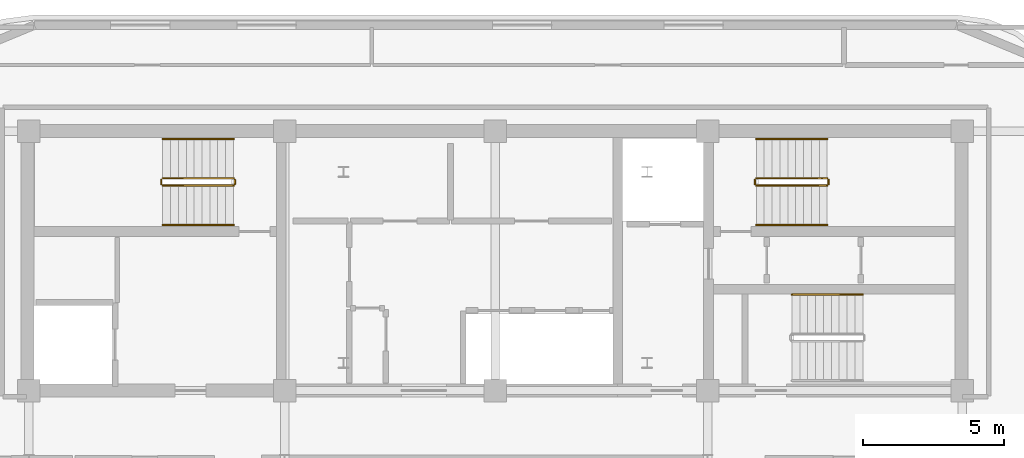
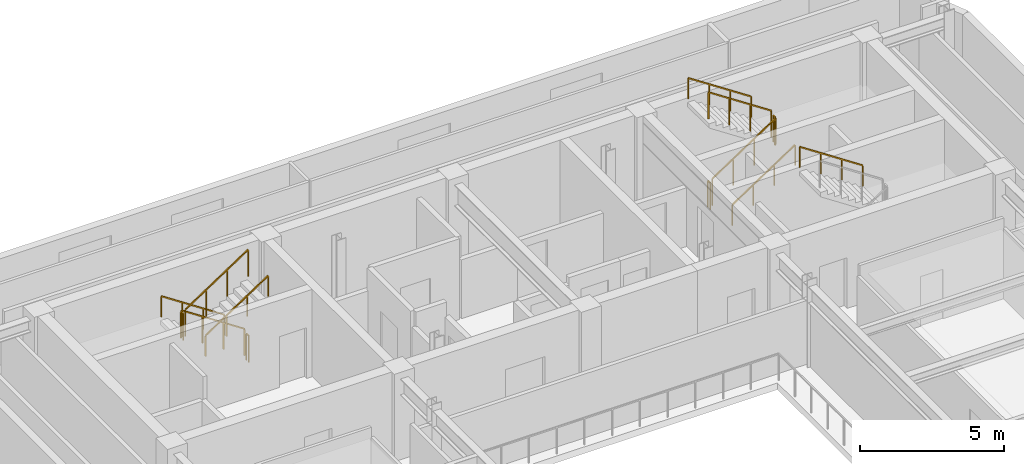
# One storey, part 11 of 11: 13 railings.
"""IFC4 building model written with IfcOpenShell, lengths in metres."""

from ifc_helpers import new_model, si_unit, direction, frame, origin, origin_2d, place, context, subcontext, project, spatial, rectangle, extrude, material, type_object, element, save


model = new_model("IFC4")

# Units and contexts
model_context = context("Model", 3, precision=1e-05, world=origin(), true_north=direction((0.0, 1.0)))
body_context = subcontext(model_context, "Body", "Model", "MODEL_VIEW")
ifc_project = project(units=[si_unit("LENGTHUNIT", "METRE"), si_unit("AREAUNIT", "SQUARE_METRE"), si_unit("VOLUMEUNIT", "CUBIC_METRE"), si_unit("PLANEANGLEUNIT", "RADIAN"), si_unit("MASSUNIT", "GRAM", prefix="KILO")], contexts=[model_context])

# Site, building, storey
site_placement = place(None, origin())
site = spatial("IfcSite", under=ifc_project, at=site_placement, CompositionType="ELEMENT")
building_placement = place(site_placement, origin())
building = spatial("IfcBuilding", under=site, at=building_placement, Name="Zarnavel Station Tower", CompositionType="ELEMENT")
storey_placement = place(building_placement, frame((0.0, 0.0, 262.10009765625)))
storey = spatial("IfcBuildingStorey", under=building, at=storey_placement, Name="L71", CompositionType="ELEMENT", Elevation=262.10009765625)

# Railings
ifc_material_1 = material(Name="Painted Steel S355J2 Balustrade", Category="steel")
railing_type_1 = type_object("IfcRailingType", Name="GR_INT_1150", PredefinedType="GUARDRAIL", material=ifc_material_1)
railing_1_placement = place(storey_placement, frame((19.47998046875, 35.3701171875, 0.184814453125)))
element("IfcRailing", 1, at=railing_1_placement, inside=storey, type_object=railing_type_1, Name="L71 ST1 stair guard 1", PredefinedType="GUARDRAIL", context=body_context, shape_type="SweptSolid", body=[
    extrude(rectangle(XDim=0.048095703125, YDim=0.048095703125, at=origin_2d()), frame((-0.001708984375, 0.0, 1.126953125), z_axis=(-0.834331337432, 0.0, 0.55126329406), x_axis=(0.0, -1.0, 0.0)), (0.0, 0.0, 1.0), 3.016357421875),
    extrude(rectangle(XDim=0.0419921875, YDim=0.0419921875, at=origin_2d()), origin(), (0.0, 0.0, 1.0), 1.101806640625),
    extrude(rectangle(XDim=0.0419921875, YDim=0.0419921875, at=origin_2d()), frame((-0.840087890625, 0.0, 0.554931640625)), (0.0, 0.0, 1.0), 1.101806640625),
    extrude(rectangle(XDim=0.0419921875, YDim=0.0419921875, at=origin_2d()), frame((-1.679931640625, 0.0, 1.110107421875)), (0.0, 0.0, 1.0), 1.101806640625),
    extrude(rectangle(XDim=0.0419921875, YDim=0.0419921875, at=origin_2d()), frame((-2.52001953125, 0.0, 1.6650390625)), (0.0, 0.0, 1.0), 1.101806640625),
])
railing_2_placement = place(storey_placement, frame((16.909912109375, 35.320068359375, 1.849853515625)))
element("IfcRailing", 2, at=railing_2_placement, inside=storey, type_object=railing_type_1, Name="L71 ST1 stair guard 2", PredefinedType="GUARDRAIL", context=body_context, shape_type="SweptSolid", body=[
    extrude(rectangle(XDim=0.048095703125, YDim=0.048095703125, at=origin_2d()), frame((0.0, -0.001953125, 1.1259765625), z_axis=(0.0, -1.0, 0.0), x_axis=(1.0, 0.0, 0.0)), (0.0, 0.0, 1.0), 0.15625),
    extrude(rectangle(XDim=0.0419921875, YDim=0.0419921875, at=origin_2d()), origin(), (0.0, 0.0, 1.0), 1.101806640625),
    extrude(rectangle(XDim=0.0419921875, YDim=0.0419921875, at=origin_2d()), frame((0.0, -0.16015625, 0.0)), (0.0, 0.0, 1.0), 1.101806640625),
])
railing_3_placement = place(storey_placement, frame((16.9599609375, 35.110107421875, 2.034912109375)))
element("IfcRailing", 3, at=railing_3_placement, inside=storey, type_object=railing_type_1, Name="L71 ST1 stair guard 3", PredefinedType="GUARDRAIL", context=body_context, shape_type="SweptSolid", body=[
    extrude(rectangle(XDim=0.048095703125, YDim=0.048095703125, at=origin_2d()), frame((0.001708984375, 0.0, 1.126953125), z_axis=(0.834331337432, 0.0, 0.55126329406), x_axis=(0.0, 1.0, 0.0)), (0.0, 0.0, 1.0), 3.016357421875),
    extrude(rectangle(XDim=0.0419921875, YDim=0.0419921875, at=origin_2d()), origin(), (0.0, 0.0, 1.0), 1.101806640625),
    extrude(rectangle(XDim=0.0419921875, YDim=0.0419921875, at=origin_2d()), frame((0.840087890625, 0.0, 0.554931640625)), (0.0, 0.0, 1.0), 1.101806640625),
    extrude(rectangle(XDim=0.0419921875, YDim=0.0419921875, at=origin_2d()), frame((1.679931640625, 0.0, 1.110107421875)), (0.0, 0.0, 1.0), 1.101806640625),
    extrude(rectangle(XDim=0.0419921875, YDim=0.0419921875, at=origin_2d()), frame((2.52001953125, 0.0, 1.6650390625)), (0.0, 0.0, 1.0), 1.101806640625),
])
railing_4_placement = place(storey_placement, frame((19.530029296875, 35.320068359375, 0.0)))
element("IfcRailing", 4, at=railing_4_placement, inside=storey, type_object=railing_type_1, Name="L71 ST1 stair guard 4", PredefinedType="GUARDRAIL", context=body_context, shape_type="SweptSolid", body=[
    extrude(rectangle(XDim=0.048095703125, YDim=0.048095703125, at=origin_2d()), frame((0.0, -0.001953125, 1.1259765625), z_axis=(0.0, -1.0, 0.0), x_axis=(1.0, 0.0, 0.0)), (0.0, 0.0, 1.0), 0.15625),
    extrude(rectangle(XDim=0.0419921875, YDim=0.0419921875, at=origin_2d()), origin(), (0.0, 0.0, 1.0), 1.101806640625),
    extrude(rectangle(XDim=0.0419921875, YDim=0.0419921875, at=origin_2d()), frame((0.0, -0.16015625, 0.0)), (0.0, 0.0, 1.0), 1.101806640625),
])
railing_5_placement = place(storey_placement, frame((38.080078125, 35.110107421875, 0.184814453125)))
element("IfcRailing", 5, at=railing_5_placement, inside=storey, type_object=railing_type_1, Name="L71 ST2 stair guard 1", PredefinedType="GUARDRAIL", context=body_context, shape_type="SweptSolid", body=[
    extrude(rectangle(XDim=0.048095703125, YDim=0.048095703125, at=origin_2d()), frame((0.001708984375, 0.0, 1.126953125), z_axis=(0.834331337432, 0.0, 0.55126329406), x_axis=(0.0, 1.0, 0.0)), (0.0, 0.0, 1.0), 3.016357421875),
    extrude(rectangle(XDim=0.0419921875, YDim=0.0419921875, at=origin_2d()), origin(), (0.0, 0.0, 1.0), 1.101806640625),
    extrude(rectangle(XDim=0.0419921875, YDim=0.0419921875, at=origin_2d()), frame((0.840087890625, 0.0, 0.554931640625)), (0.0, 0.0, 1.0), 1.101806640625),
    extrude(rectangle(XDim=0.0419921875, YDim=0.0419921875, at=origin_2d()), frame((1.679931640625, 0.0, 1.110107421875)), (0.0, 0.0, 1.0), 1.101806640625),
    extrude(rectangle(XDim=0.0419921875, YDim=0.0419921875, at=origin_2d()), frame((2.52001953125, 0.0, 1.6650390625)), (0.0, 0.0, 1.0), 1.101806640625),
])
railing_6_placement = place(storey_placement, frame((40.64990234375, 35.159912109375, 1.849853515625)))
element("IfcRailing", 6, at=railing_6_placement, inside=storey, type_object=railing_type_1, Name="L71 ST2 stair guard 2", PredefinedType="GUARDRAIL", context=body_context, shape_type="SweptSolid", body=[
    extrude(rectangle(XDim=0.048095703125, YDim=0.048095703125, at=origin_2d()), frame((0.0, 0.001953125, 1.1259765625), z_axis=(0.0, 1.0, 0.0), x_axis=(-1.0, 0.0, 0.0)), (0.0, 0.0, 1.0), 0.15625),
    extrude(rectangle(XDim=0.0419921875, YDim=0.0419921875, at=origin_2d()), origin(), (0.0, 0.0, 1.0), 1.101806640625),
    extrude(rectangle(XDim=0.0419921875, YDim=0.0419921875, at=origin_2d()), frame((0.0, 0.16015625, 0.0)), (0.0, 0.0, 1.0), 1.101806640625),
])
railing_7_placement = place(storey_placement, frame((40.60009765625, 35.3701171875, 2.034912109375)))
element("IfcRailing", 7, at=railing_7_placement, inside=storey, type_object=railing_type_1, Name="L71 ST2 stair guard 3", PredefinedType="GUARDRAIL", context=body_context, shape_type="SweptSolid", body=[
    extrude(rectangle(XDim=0.048095703125, YDim=0.048095703125, at=origin_2d()), frame((-0.001708984375, 0.0, 1.126953125), z_axis=(-0.834331337432, 0.0, 0.55126329406), x_axis=(0.0, -1.0, 0.0)), (0.0, 0.0, 1.0), 3.016357421875),
    extrude(rectangle(XDim=0.0419921875, YDim=0.0419921875, at=origin_2d()), origin(), (0.0, 0.0, 1.0), 1.101806640625),
    extrude(rectangle(XDim=0.0419921875, YDim=0.0419921875, at=origin_2d()), frame((-0.840087890625, 0.0, 0.554931640625)), (0.0, 0.0, 1.0), 1.101806640625),
    extrude(rectangle(XDim=0.0419921875, YDim=0.0419921875, at=origin_2d()), frame((-1.679931640625, 0.0, 1.110107421875)), (0.0, 0.0, 1.0), 1.101806640625),
    extrude(rectangle(XDim=0.0419921875, YDim=0.0419921875, at=origin_2d()), frame((-2.52001953125, 0.0, 1.6650390625)), (0.0, 0.0, 1.0), 1.101806640625),
])
railing_8_placement = place(storey_placement, frame((38.030029296875, 35.159912109375, 0.0)))
element("IfcRailing", 8, at=railing_8_placement, inside=storey, type_object=railing_type_1, Name="L71 ST2 stair guard 4", PredefinedType="GUARDRAIL", context=body_context, shape_type="SweptSolid", body=[
    extrude(rectangle(XDim=0.048095703125, YDim=0.048095703125, at=origin_2d()), frame((0.0, 0.001953125, 1.1259765625), z_axis=(0.0, 1.0, 0.0), x_axis=(-1.0, 0.0, 0.0)), (0.0, 0.0, 1.0), 0.15625),
    extrude(rectangle(XDim=0.0419921875, YDim=0.0419921875, at=origin_2d()), origin(), (0.0, 0.0, 1.0), 1.101806640625),
    extrude(rectangle(XDim=0.0419921875, YDim=0.0419921875, at=origin_2d()), frame((0.0, 0.16015625, 0.0)), (0.0, 0.0, 1.0), 1.101806640625),
])
ifc_material_2 = material(Name="Brushed Stainless Steel S355J2 Handrail", Category="steel")
railing_type_2 = type_object("IfcRailingType", Name="HR_STAIR_900", PredefinedType="HANDRAIL", material=ifc_material_2)
railing_9_placement = place(storey_placement, frame((19.47998046875, 36.77001953125, 0.184814453125)))
element("IfcRailing", 9, at=railing_9_placement, inside=storey, type_object=railing_type_2, Name="L71 ST1 stair handrail 1", PredefinedType="HANDRAIL", context=body_context, shape_type="SweptSolid", body=[
    extrude(rectangle(XDim=0.048095703125, YDim=0.048095703125, at=origin_2d()), frame((-0.001708984375, 0.0, 0.876953125), z_axis=(-0.834331337432, 0.0, 0.55126329406), x_axis=(0.0, -1.0, 0.0)), (0.0, 0.0, 1.0), 3.016357421875),
    extrude(rectangle(XDim=0.0419921875, YDim=0.0419921875, at=origin_2d()), origin(), (0.0, 0.0, 1.0), 0.851806640625),
    extrude(rectangle(XDim=0.0419921875, YDim=0.0419921875, at=origin_2d()), frame((-0.840087890625, 0.0, 0.554931640625)), (0.0, 0.0, 1.0), 0.851806640625),
    extrude(rectangle(XDim=0.0419921875, YDim=0.0419921875, at=origin_2d()), frame((-1.679931640625, 0.0, 1.110107421875)), (0.0, 0.0, 1.0), 0.851806640625),
    extrude(rectangle(XDim=0.0419921875, YDim=0.0419921875, at=origin_2d()), frame((-2.52001953125, 0.0, 1.6650390625)), (0.0, 0.0, 1.0), 0.851806640625),
])
for number, where, name in (
    (10, (16.9599609375, 33.7099609375, 2.034912109375), "L71 ST1 stair handrail 2"),
    (11, (38.080078125, 33.7099609375, 0.184814453125), "L71 ST2 stair handrail 1"),
):
    element("IfcRailing", number, at=place(storey_placement, frame(where)), inside=storey, type_object=railing_type_2, Name=name, PredefinedType="HANDRAIL", context=body_context, shape_type="SweptSolid", body=[
        extrude(rectangle(XDim=0.048095703125, YDim=0.048095703125, at=origin_2d()), frame((0.001708984375, 0.0, 0.876953125), z_axis=(0.834331337432, 0.0, 0.55126329406), x_axis=(0.0, 1.0, 0.0)), (0.0, 0.0, 1.0), 3.016357421875),
        extrude(rectangle(XDim=0.0419921875, YDim=0.0419921875, at=origin_2d()), origin(), (0.0, 0.0, 1.0), 0.851806640625),
        extrude(rectangle(XDim=0.0419921875, YDim=0.0419921875, at=origin_2d()), frame((0.840087890625, 0.0, 0.554931640625)), (0.0, 0.0, 1.0), 0.851806640625),
        extrude(rectangle(XDim=0.0419921875, YDim=0.0419921875, at=origin_2d()), frame((1.679931640625, 0.0, 1.110107421875)), (0.0, 0.0, 1.0), 0.851806640625),
        extrude(rectangle(XDim=0.0419921875, YDim=0.0419921875, at=origin_2d()), frame((2.52001953125, 0.0, 1.6650390625)), (0.0, 0.0, 1.0), 0.851806640625),
    ])
for number, where, name in (
    (12, (40.60009765625, 36.77001953125, 2.034912109375), "L71 ST2 stair handrail 2"),
    (13, (41.8701171875, 31.22998046875, 2.034912109375), "L71 ST3 stair handrail 2"),
):
    element("IfcRailing", number, at=place(storey_placement, frame(where)), inside=storey, type_object=railing_type_2, Name=name, PredefinedType="HANDRAIL", context=body_context, shape_type="SweptSolid", body=[
        extrude(rectangle(XDim=0.048095703125, YDim=0.048095703125, at=origin_2d()), frame((-0.001708984375, 0.0, 0.876953125), z_axis=(-0.834331337432, 0.0, 0.55126329406), x_axis=(0.0, -1.0, 0.0)), (0.0, 0.0, 1.0), 3.016357421875),
        extrude(rectangle(XDim=0.0419921875, YDim=0.0419921875, at=origin_2d()), origin(), (0.0, 0.0, 1.0), 0.851806640625),
        extrude(rectangle(XDim=0.0419921875, YDim=0.0419921875, at=origin_2d()), frame((-0.840087890625, 0.0, 0.554931640625)), (0.0, 0.0, 1.0), 0.851806640625),
        extrude(rectangle(XDim=0.0419921875, YDim=0.0419921875, at=origin_2d()), frame((-1.679931640625, 0.0, 1.110107421875)), (0.0, 0.0, 1.0), 0.851806640625),
        extrude(rectangle(XDim=0.0419921875, YDim=0.0419921875, at=origin_2d()), frame((-2.52001953125, 0.0, 1.6650390625)), (0.0, 0.0, 1.0), 0.851806640625),
    ])

save(model, "model.ifc")
